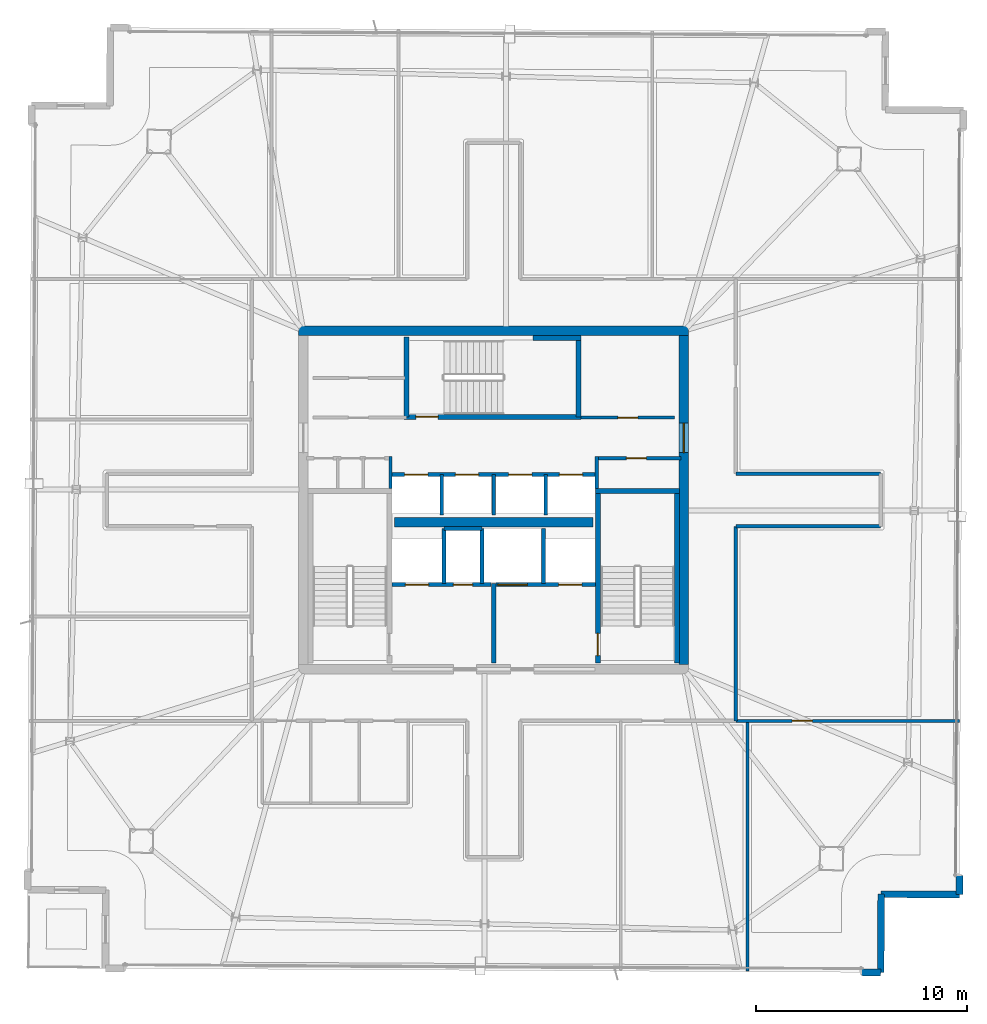
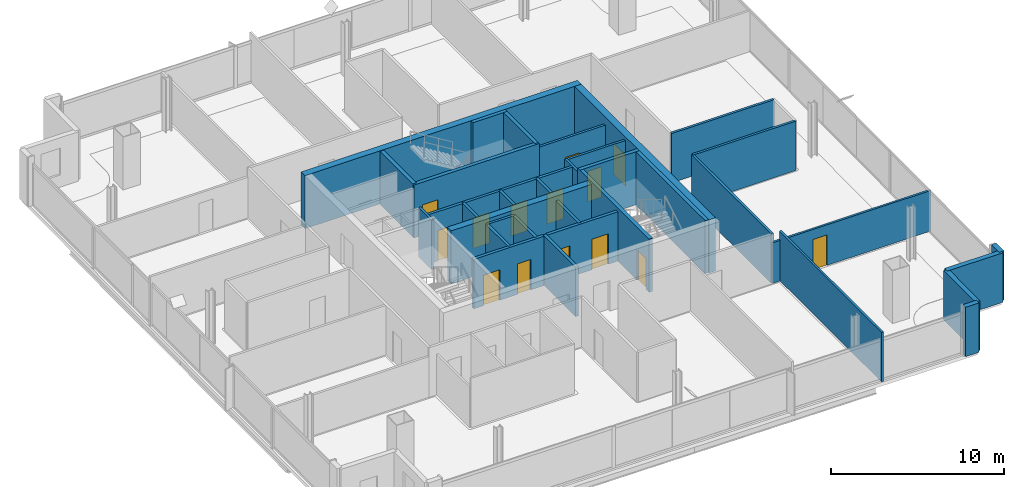
# One storey, part 20 of 24: 34 walls, 14 doors, 14 openings.
"""IFC4 building model written with IfcOpenShell, lengths in metres."""

from ifc_helpers import new_model, si_unit, direction, frame, frame_2d, origin, place, context, subcontext, project, spatial, rectangle, extrude, material, layer, layer_set, type_object, element, fill, save


model = new_model("IFC4")

# Units and contexts
model_context = context("Model", 3, precision=1e-05, world=origin(), true_north=direction((0.0, 1.0)))
body_context = subcontext(model_context, "Body", "Model", "MODEL_VIEW")
ifc_project = project(units=[si_unit("LENGTHUNIT", "METRE"), si_unit("AREAUNIT", "SQUARE_METRE"), si_unit("VOLUMEUNIT", "CUBIC_METRE"), si_unit("PLANEANGLEUNIT", "RADIAN"), si_unit("MASSUNIT", "GRAM", prefix="KILO")], contexts=[model_context])

# Site, building, storey
site_placement = place(None, origin())
site = spatial("IfcSite", under=ifc_project, at=site_placement, CompositionType="ELEMENT")
building_placement = place(site_placement, origin())
building = spatial("IfcBuilding", under=site, at=building_placement, Name="Haldenkirk Collegiate Tower", CompositionType="ELEMENT")
storey_placement = place(building_placement, frame((0.0, 0.0, 328.949951171875)))
storey = spatial("IfcBuildingStorey", under=building, at=storey_placement, Name="L83", CompositionType="ELEMENT", Elevation=328.949951171875)

# Wall
ifc_material_1 = material(Name="Concrete f'c 55 MPa", Category="concrete")
ifc_layer_1 = layer(ifc_material_1, 0.449951171875)
ifc_layer_set_1 = layer_set([ifc_layer_1], Name="Concrete f'c 55 MPa")
wall_type_1 = type_object("IfcWallType", Name="WL-CORE-450", PredefinedType="SHEAR", material=ifc_layer_set_1)
wall_1_placement = place(storey_placement, frame((26.77490234375, 34.0, 0.0), z_axis=(0.0, 0.0, 1.0), x_axis=(1.0, 0.0, 0.0)))
element("IfcWall", 1, at=wall_1_placement, inside=storey, type_object=wall_type_1, Name="L83 central core shear wall N", PredefinedType="SHEAR", context=body_context, shape_type="SweptSolid", body=[
    extrude(rectangle(XDim=18.4501953125, YDim=0.449951171875, at=frame_2d((9.22509765625, 0.0))), origin(), (0.0, 0.0, 1.0), 3.75),
])

# Wall, opening, door
wall_2_placement = place(storey_placement, frame((45.0, 18.22509765625, 0.0), z_axis=(0.0, 0.0, 1.0), x_axis=(0.0, 1.0, 0.0)))
wall_2 = element("IfcWall", 2, at=wall_2_placement, inside=storey, type_object=wall_type_1, Name="L83 central core shear wall E", PredefinedType="SHEAR", context=body_context, shape_type="SweptSolid", body=[
    extrude(rectangle(XDim=15.5498046875, YDim=0.449951171875, at=frame_2d((7.77490234375, 0.0))), origin(), (0.0, 0.0, 1.0), 3.75),
])
opening_1_placement = place(wall_2_placement, frame((10.014892578125, 0.0, 0.0)))
opening_1 = element("IfcOpeningElement", 3, at=opening_1_placement, cuts=wall_2, Name="Opening D-03", PredefinedType="OPENING", context=body_context, shape_type="SweptSolid", body=[
    extrude(rectangle(XDim=1.39990234375, YDim=2.199951171875, at=frame_2d((0.699951171875, 1.10009765625))), frame((0.0, 0.23486328125, 0.0), z_axis=(0.0, -1.0, 0.0), x_axis=(1.0, 0.0, 0.0)), (0.0, 0.0, 1.0), 0.469970703125),
])
ifc_material_2 = material(Name="Galvanized fire-rated hollow steel door", Category="steel")
ifc_layer_2 = layer(ifc_material_2, 0.06005859375)
ifc_layer_set_2 = layer_set([ifc_layer_2], Name="Galvanized fire-rated hollow steel door")
door_type_1 = type_object("IfcDoorType", Name="DR-LOBBY-FD90-1400", OperationType="NOTDEFINED", PredefinedType="DOOR", material=ifc_layer_set_2)
door_1_placement = place(opening_1_placement, origin())
door_1 = element("IfcDoor", 4, at=door_1_placement, inside=storey, type_object=door_type_1, Name="L83 east lift lobby portal", OperationType="DOUBLE_DOOR_SINGLE_SWING", OverallHeight=2.199951171875, OverallWidth=1.39990234375, PredefinedType="DOOR", context=body_context, shape_type="SweptSolid", body=[
    extrude(rectangle(XDim=1.39990234375, YDim=2.199951171875, at=frame_2d((0.699951171875, 1.10009765625))), frame((0.0, 0.02490234375, 0.0), z_axis=(0.0, -1.0, 0.0), x_axis=(1.0, 0.0, 0.0)), (0.0, 0.0, 1.0), 0.050048828125),
])
fill(opening_1, door_1)

# Walls
wall_3_placement = place(storey_placement, frame((31.31005859375, 24.949951171875, 0.0), z_axis=(0.0, 0.0, 1.0), x_axis=(1.0, 0.0, 0.0)))
element("IfcWall", 5, at=wall_3_placement, inside=storey, type_object=wall_type_1, Name="L83 central core spine shear wall", PredefinedType="SHEAR", context=body_context, shape_type="SweptSolid", body=[
    extrude(rectangle(XDim=9.3798828125, YDim=0.449951171875, at=frame_2d((4.68994140625, 0.0))), origin(), (0.0, 0.0, 1.0), 3.75),
])
ifc_material_3 = material(Name="Precast concrete f'c 40 MPa", Category="concrete")
ifc_layer_3 = layer(ifc_material_3, 0.320068359375)
ifc_layer_set_3 = layer_set([ifc_layer_3], Name="Precast concrete f'c 40 MPa")
wall_type_2 = type_object("IfcWallType", Name="WL-EXT-TWR-320", PredefinedType="STANDARD", material=ifc_layer_set_3)
for number, where, z_axis, x_axis, name in (
    (6, (58.0322265625, 8.234375, 0.0), (0.0, 0.0, 1.0), (-0.005154570696, -0.999986715112, 0.0), "L83 precast corner pier SR"),
    (7, (54.30810546875, 3.65380859375, 0.0), (0.0, 0.0, 1.0), (-0.999986715112, 0.005154570696, 0.0), "L83 precast corner pier WL"),
):
    element("IfcWall", number, at=place(storey_placement, frame(where, z_axis=z_axis, x_axis=x_axis)), inside=storey, type_object=wall_type_2, Name=name, PredefinedType="STANDARD", context=body_context, shape_type="SweptSolid", body=[
        extrude(rectangle(XDim=0.89990234375, YDim=0.320068359375, at=frame_2d((0.449951171875, 0.0))), origin(), (0.0, 0.0, 1.0), 3.489990234375),
    ])
for number, where, z_axis, x_axis, name in (
    (8, (54.32763671875, 7.353759765625, 0.0), (0.0, 0.0, 1.0), (-0.005278712333, -0.999986067501, 0.0), "L83 bronze precast notch wall 11"),
    (9, (58.027587890625, 7.33447265625, 0.0), (0.0, 0.0, 1.0), (-0.999986413629, 0.005212730233, 0.0), "L83 bronze precast notch wall 12"),
):
    element("IfcWall", number, at=place(storey_placement, frame(where, z_axis=z_axis, x_axis=x_axis)), inside=storey, type_object=wall_type_2, Name=name, PredefinedType="STANDARD", context=body_context, shape_type="SweptSolid", body=[
        extrude(rectangle(XDim=3.699951171875, YDim=0.320068359375, at=frame_2d((1.85009765625, 0.0))), origin(), (0.0, 0.0, 1.0), 3.489990234375),
    ])
ifc_material_4 = material(Name="Acoustic fire-rated gypsum partition", Category="concrete")
ifc_layer_4 = layer(ifc_material_4, 0.159912109375)
ifc_layer_set_4 = layer_set([ifc_layer_4], Name="Acoustic fire-rated gypsum partition")
wall_type_3 = type_object("IfcWallType", Name="WL-INT-CORR-160", PredefinedType="PARTITIONING", material=ifc_layer_set_4)
wall_4_placement = place(storey_placement, frame((31.1201171875, 26.5400390625, 0.0), z_axis=(0.0, 0.0, 1.0), x_axis=(0.0, 1.0, 0.0)))
element("IfcWall", 10, at=wall_4_placement, inside=storey, type_object=wall_type_3, Name="L83 interior partition IW-L83-VCSW-E", PredefinedType="PARTITIONING", context=body_context, shape_type="SweptSolid", body=[
    extrude(rectangle(XDim=1.510009765625, YDim=0.159912109375, at=frame_2d((0.7548828125, 0.0))), origin(), (0.0, 0.0, 1.0), 3.489990234375),
])

# Wall, opening, door
wall_5_placement = place(storey_placement, frame((40.800048828125, 27.97998046875, 0.0), z_axis=(0.0, 0.0, 1.0), x_axis=(1.0, 0.0, 0.0)))
wall_5 = element("IfcWall", 11, at=wall_5_placement, inside=storey, type_object=wall_type_3, Name="L83 interior partition IW-L83-VCSE-N", PredefinedType="PARTITIONING", context=body_context, shape_type="SweptSolid", body=[
    extrude(rectangle(XDim=4.050048828125, YDim=0.159912109375, at=frame_2d((2.02490234375, 0.0))), origin(), (0.0, 0.0, 1.0), 3.489990234375),
])
opening_2_placement = place(wall_5_placement, frame((1.47509765625, 0.0, 0.0)))
opening_2 = element("IfcOpeningElement", 12, at=opening_2_placement, cuts=wall_5, Name="Opening D-10", PredefinedType="OPENING", context=body_context, shape_type="SweptSolid", body=[
    extrude(rectangle(XDim=0.949951171875, YDim=2.14990234375, at=frame_2d((0.47509765625, 1.074951171875))), frame((0.0, 0.08984375, 0.0), z_axis=(0.0, -1.0, 0.0), x_axis=(1.0, 0.0, 0.0)), (0.0, 0.0, 1.0), 0.179931640625),
])
ifc_material_5 = material(Name="Solid-core architectural oak fire door", Category="wood")
ifc_layer_5 = layer(ifc_material_5, 0.06005859375)
ifc_layer_set_5 = layer_set([ifc_layer_5], Name="Solid-core architectural oak fire door")
door_type_2 = type_object("IfcDoorType", Name="DR-INT-FD60-950", OperationType="NOTDEFINED", PredefinedType="DOOR", material=ifc_layer_set_5)
door_2_placement = place(opening_2_placement, origin())
door_2 = element("IfcDoor", 13, at=door_2_placement, inside=storey, type_object=door_type_2, Name="L83 core archive vault door", OperationType="SINGLE_SWING_RIGHT", OverallHeight=2.14990234375, OverallWidth=0.949951171875, PredefinedType="DOOR", context=body_context, shape_type="SweptSolid", body=[
    extrude(rectangle(XDim=0.949951171875, YDim=2.14990234375, at=frame_2d((0.47509765625, 1.074951171875))), frame((0.0, 0.02490234375, 0.0), z_axis=(0.0, -1.0, 0.0), x_axis=(1.0, 0.0, 0.0)), (0.0, 0.0, 1.0), 0.050048828125),
])
fill(opening_2, door_2)

# Wall
wall_6_placement = place(storey_placement, frame((40.8798828125, 26.5400390625, 0.0), z_axis=(0.0, 0.0, 1.0), x_axis=(0.0, 1.0, 0.0)))
element("IfcWall", 14, at=wall_6_placement, inside=storey, type_object=wall_type_3, Name="L83 interior partition IW-L83-VCSE-W", PredefinedType="PARTITIONING", context=body_context, shape_type="SweptSolid", body=[
    extrude(rectangle(XDim=1.510009765625, YDim=0.159912109375, at=frame_2d((0.7548828125, 0.0))), origin(), (0.0, 0.0, 1.0), 3.489990234375),
])

# Wall, opening, door
wall_7_placement = place(storey_placement, frame((40.1201171875, 29.89990234375, 0.0), z_axis=(0.0, 0.0, 1.0), x_axis=(1.0, 0.0, 0.0)))
wall_7 = element("IfcWall", 15, at=wall_7_placement, inside=storey, type_object=wall_type_3, Name="L83 interior partition IW-L83-PMS", PredefinedType="PARTITIONING", context=body_context, shape_type="SweptSolid", body=[
    extrude(rectangle(XDim=4.429931640625, YDim=0.159912109375, at=frame_2d((2.21484375, 0.0))), origin(), (0.0, 0.0, 1.0), 3.489990234375),
])
opening_3_placement = place(wall_7_placement, frame((1.7548828125, 0.0, 0.0)))
opening_3 = element("IfcOpeningElement", 16, at=opening_3_placement, cuts=wall_7, Name="Opening D-10", PredefinedType="OPENING", context=body_context, shape_type="SweptSolid", body=[
    extrude(rectangle(XDim=0.949951171875, YDim=2.14990234375, at=frame_2d((0.47509765625, 1.074951171875))), frame((0.0, 0.08984375, 0.0), z_axis=(0.0, -1.0, 0.0), x_axis=(1.0, 0.0, 0.0)), (0.0, 0.0, 1.0), 0.179931640625),
])
door_3_placement = place(opening_3_placement, origin())
door_3 = element("IfcDoor", 17, at=door_3_placement, inside=storey, type_object=door_type_2, Name="L83 reference archive door", OperationType="SINGLE_SWING_LEFT", OverallHeight=2.14990234375, OverallWidth=0.949951171875, PredefinedType="DOOR", context=body_context, shape_type="SweptSolid", body=[
    extrude(rectangle(XDim=0.949951171875, YDim=2.14990234375, at=frame_2d((0.47509765625, 1.074951171875))), frame((0.0, 0.02490234375, 0.0), z_axis=(0.0, -1.0, 0.0), x_axis=(1.0, 0.0, 0.0)), (0.0, 0.0, 1.0), 0.050048828125),
])
fill(opening_3, door_3)

# Walls
wall_8_placement = place(storey_placement, frame((47.449951171875, 15.550048828125, 0.0), z_axis=(0.0, 0.0, 1.0), x_axis=(0.0, 1.0, 0.0)))
element("IfcWall", 18, at=wall_8_placement, inside=storey, type_object=wall_type_3, Name="L83 interior partition IW-L83-CE1", PredefinedType="PARTITIONING", context=body_context, shape_type="SweptSolid", body=[
    extrude(rectangle(XDim=9.199951171875, YDim=0.159912109375, at=frame_2d((4.60009765625, 0.0))), origin(), (0.0, 0.0, 1.0), 3.489990234375),
])
for number, where, z_axis, x_axis, name in (
    (19, (47.449951171875, 24.75, 0.0), (0.0, 0.0, 1.0), (1.0, 0.0, 0.0), "L83 interior partition IW-L83-EPS"),
    (20, (47.449951171875, 27.25, 0.0), (0.0, 0.0, 1.0), (1.0, 0.0, 0.0), "L83 interior partition IW-L83-EPN"),
):
    element("IfcWall", number, at=place(storey_placement, frame(where, z_axis=z_axis, x_axis=x_axis)), inside=storey, type_object=wall_type_3, Name=name, PredefinedType="PARTITIONING", context=body_context, shape_type="SweptSolid", body=[
        extrude(rectangle(XDim=6.85009765625, YDim=0.159912109375, at=frame_2d((3.425048828125, 0.0))), origin(), (0.0, 0.0, 1.0), 3.489990234375),
    ])

# Wall, opening, door
ifc_layer_6 = layer(ifc_material_4, 0.139892578125)
ifc_layer_set_6 = layer_set([ifc_layer_6], Name="Acoustic fire-rated gypsum partition")
wall_type_4 = type_object("IfcWallType", Name="WL-INT-DIV-140", PredefinedType="PARTITIONING", material=ifc_layer_set_6)
wall_9_placement = place(storey_placement, frame((47.449951171875, 15.550048828125, 0.0), z_axis=(0.0, 0.0, 1.0), x_axis=(1.0, 0.0, 0.0)))
wall_9 = element("IfcWall", 21, at=wall_9_placement, inside=storey, type_object=wall_type_4, Name="L83 interior partition IW-L83-BES", PredefinedType="PARTITIONING", context=body_context, shape_type="SweptSolid", body=[
    extrude(rectangle(XDim=10.58056640625, YDim=0.139892578125, at=frame_2d((5.290283203125, 0.0))), origin(), (0.0, 0.0, 1.0), 2.8681640625),
])
opening_4_placement = place(wall_9_placement, frame((2.6689453125, 0.0, 0.0)))
opening_4 = element("IfcOpeningElement", 22, at=opening_4_placement, cuts=wall_9, Name="Opening D-12", PredefinedType="OPENING", context=body_context, shape_type="SweptSolid", body=[
    extrude(rectangle(XDim=0.949951171875, YDim=2.14990234375, at=frame_2d((0.47509765625, 1.074951171875))), frame((0.0, 0.079833984375, 0.0), z_axis=(0.0, -1.0, 0.0), x_axis=(1.0, 0.0, 0.0)), (0.0, 0.0, 1.0), 0.159912109375),
])
ifc_layer_7 = layer(ifc_material_5, 0.06005859375)
ifc_layer_set_7 = layer_set([ifc_layer_7], Name="Solid-core architectural oak fire door")
door_type_3 = type_object("IfcDoorType", Name="DR-INT-STD-950", OperationType="NOTDEFINED", PredefinedType="DOOR", material=ifc_layer_set_7)
door_4_placement = place(opening_4_placement, origin())
door_4 = element("IfcDoor", 23, at=door_4_placement, inside=storey, type_object=door_type_3, Name="L83 Tutorial Seminar Room 3 door", OperationType="SINGLE_SWING_LEFT", OverallHeight=2.14990234375, OverallWidth=0.949951171875, PredefinedType="DOOR", context=body_context, shape_type="SweptSolid", body=[
    extrude(rectangle(XDim=0.949951171875, YDim=2.14990234375, at=frame_2d((0.47509765625, 1.074951171875))), frame((0.0, 0.02490234375, 0.0), z_axis=(0.0, -1.0, 0.0), x_axis=(1.0, 0.0, 0.0)), (0.0, 0.0, 1.0), 0.050048828125),
])
fill(opening_4, door_4)

# Walls
wall_10_placement = place(storey_placement, frame((48.0, 3.726806640625, 0.0), z_axis=(0.0, 0.0, 1.0), x_axis=(0.0, 1.0, 0.0)))
element("IfcWall", 24, at=wall_10_placement, inside=storey, type_object=wall_type_4, Name="L83 interior partition IW-L83-RS2", PredefinedType="PARTITIONING", context=body_context, shape_type="SweptSolid", body=[
    extrude(rectangle(XDim=11.8232421875, YDim=0.139892578125, at=frame_2d((5.91162109375, 0.0))), origin(), (0.0, 0.0, 1.0), 3.489990234375),
])
ifc_material_6 = material(Name="Fire-rated gypsum shaftboard assembly", Category="concrete")
ifc_layer_8 = layer(ifc_material_6, 0.179931640625)
ifc_layer_set_8 = layer_set([ifc_layer_8], Name="Fire-rated gypsum shaftboard assembly")
wall_type_5 = type_object("IfcWallType", Name="WL-INT-SHAFT-180", PredefinedType="PARTITIONING", material=ifc_layer_set_8)
for number, where, z_axis, x_axis, name in (
    (25, (33.64990234375, 22.050048828125, 0.0), (0.0, 0.0, 1.0), (0.0, 1.0, 0.0), "L83 interior partition IW-L83-FL1E"),
    (26, (35.449951171875, 22.050048828125, 0.0), (0.0, 0.0, 1.0), (0.0, 1.0, 0.0), "L83 interior partition IW-L83-GL1W"),
):
    element("IfcWall", number, at=place(storey_placement, frame(where, z_axis=z_axis, x_axis=x_axis)), inside=storey, type_object=wall_type_5, Name=name, PredefinedType="PARTITIONING", context=body_context, shape_type="SweptSolid", body=[
        extrude(rectangle(XDim=2.599853515625, YDim=0.179931640625, at=frame_2d((1.2998046875, 0.0))), origin(), (0.0, 0.0, 1.0), 3.489990234375),
    ])
wall_11_placement = place(storey_placement, frame((33.64990234375, 24.64990234375, 0.0), z_axis=(0.0, 0.0, 1.0), x_axis=(1.0, 0.0, 0.0)))
element("IfcWall", 27, at=wall_11_placement, inside=storey, type_object=wall_type_5, Name="L83 interior partition IW-L83-RSRN", PredefinedType="PARTITIONING", context=body_context, shape_type="SweptSolid", body=[
    extrude(rectangle(XDim=1.800048828125, YDim=0.179931640625, at=frame_2d((0.89990234375, 0.0))), origin(), (0.0, 0.0, 1.0), 3.489990234375),
])
wall_12_placement = place(storey_placement, frame((38.35009765625, 22.050048828125, 0.0), z_axis=(0.0, 0.0, 1.0), x_axis=(0.0, 1.0, 0.0)))
element("IfcWall", 28, at=wall_12_placement, inside=storey, type_object=wall_type_5, Name="L83 interior partition IW-L83-GL1E", PredefinedType="PARTITIONING", context=body_context, shape_type="SweptSolid", body=[
    extrude(rectangle(XDim=2.599853515625, YDim=0.179931640625, at=frame_2d((1.2998046875, 0.0))), origin(), (0.0, 0.0, 1.0), 3.489990234375),
])

# Wall, openings, doors
wall_13_placement = place(storey_placement, frame((31.199951171875, 27.199951171875, 0.0), z_axis=(0.0, 0.0, 1.0), x_axis=(1.0, 0.0, 0.0)))
wall_13 = element("IfcWall", 29, at=wall_13_placement, inside=storey, type_object=wall_type_5, Name="L83 interior partition IW-L83-PHN", PredefinedType="PARTITIONING", context=body_context, shape_type="SweptSolid", body=[
    extrude(rectangle(XDim=9.60009765625, YDim=0.179931640625, at=frame_2d((4.800048828125, 0.0))), origin(), (0.0, 0.0, 1.0), 3.489990234375),
])
opening_5_placement = place(wall_13_placement, frame((0.590087890625, 0.0, 0.0)))
opening_5 = element("IfcOpeningElement", 30, at=opening_5_placement, cuts=wall_13, Name="Opening LD-11", PredefinedType="OPENING", context=body_context, shape_type="SweptSolid", body=[
    extrude(rectangle(XDim=1.10009765625, YDim=2.14990234375, at=frame_2d((0.550048828125, 1.074951171875))), frame((0.0, 0.099853515625, 0.0), z_axis=(0.0, -1.0, 0.0), x_axis=(1.0, 0.0, 0.0)), (0.0, 0.0, 1.0), 0.199951171875),
])
opening_6_placement = place(wall_13_placement, frame((2.989990234375, 0.0, 0.0)))
opening_6 = element("IfcOpeningElement", 31, at=opening_6_placement, cuts=wall_13, Name="Opening LD-11", PredefinedType="OPENING", context=body_context, shape_type="SweptSolid", body=[
    extrude(rectangle(XDim=1.10009765625, YDim=2.14990234375, at=frame_2d((0.550048828125, 1.074951171875))), frame((0.0, 0.099853515625, 0.0), z_axis=(0.0, -1.0, 0.0), x_axis=(1.0, 0.0, 0.0)), (0.0, 0.0, 1.0), 0.199951171875),
])
opening_7_placement = place(wall_13_placement, frame((5.510009765625, 0.0, 0.0)))
opening_7 = element("IfcOpeningElement", 32, at=opening_7_placement, cuts=wall_13, Name="Opening LD-11", PredefinedType="OPENING", context=body_context, shape_type="SweptSolid", body=[
    extrude(rectangle(XDim=1.10009765625, YDim=2.14990234375, at=frame_2d((0.550048828125, 1.074951171875))), frame((0.0, 0.099853515625, 0.0), z_axis=(0.0, -1.0, 0.0), x_axis=(1.0, 0.0, 0.0)), (0.0, 0.0, 1.0), 0.199951171875),
])
opening_8_placement = place(wall_13_placement, frame((7.909912109375, 0.0, 0.0)))
opening_8 = element("IfcOpeningElement", 33, at=opening_8_placement, cuts=wall_13, Name="Opening LD-11", PredefinedType="OPENING", context=body_context, shape_type="SweptSolid", body=[
    extrude(rectangle(XDim=1.10009765625, YDim=2.14990234375, at=frame_2d((0.550048828125, 1.074951171875))), frame((0.0, 0.099853515625, 0.0), z_axis=(0.0, -1.0, 0.0), x_axis=(1.0, 0.0, 0.0)), (0.0, 0.0, 1.0), 0.199951171875),
])
ifc_material_7 = material(Name="Brushed architectural stainless steel", Category="steel")
ifc_layer_9 = layer(ifc_material_7, 0.06005859375)
ifc_layer_set_9 = layer_set([ifc_layer_9], Name="Brushed architectural stainless steel")
door_type_4 = type_object("IfcDoorType", Name="LD-PASS-1100", OperationType="NOTDEFINED", PredefinedType="DOOR", material=ifc_layer_set_9)
door_5_placement = place(opening_5_placement, origin())
door_5 = element("IfcDoor", 34, at=door_5_placement, inside=storey, type_object=door_type_4, Name="L83 Elevator PH1 sliding landing door", OperationType="SLIDING_TO_LEFT", OverallHeight=2.14990234375, OverallWidth=1.10009765625, PredefinedType="DOOR", context=body_context, shape_type="SweptSolid", body=[
    extrude(rectangle(XDim=1.10009765625, YDim=2.14990234375, at=frame_2d((0.550048828125, 1.074951171875))), frame((0.0, 0.02490234375, 0.0), z_axis=(0.0, -1.0, 0.0), x_axis=(1.0, 0.0, 0.0)), (0.0, 0.0, 1.0), 0.050048828125),
])
fill(opening_5, door_5)
door_6_placement = place(opening_6_placement, origin())
door_6 = element("IfcDoor", 35, at=door_6_placement, inside=storey, type_object=door_type_4, Name="L83 Elevator PH2 sliding landing door", OperationType="SLIDING_TO_LEFT", OverallHeight=2.14990234375, OverallWidth=1.10009765625, PredefinedType="DOOR", context=body_context, shape_type="SweptSolid", body=[
    extrude(rectangle(XDim=1.10009765625, YDim=2.14990234375, at=frame_2d((0.550048828125, 1.074951171875))), frame((0.0, 0.02490234375, 0.0), z_axis=(0.0, -1.0, 0.0), x_axis=(1.0, 0.0, 0.0)), (0.0, 0.0, 1.0), 0.050048828125),
])
fill(opening_6, door_6)
door_7_placement = place(opening_7_placement, origin())
door_7 = element("IfcDoor", 36, at=door_7_placement, inside=storey, type_object=door_type_4, Name="L83 Elevator PH3 sliding landing door", OperationType="SLIDING_TO_LEFT", OverallHeight=2.14990234375, OverallWidth=1.10009765625, PredefinedType="DOOR", context=body_context, shape_type="SweptSolid", body=[
    extrude(rectangle(XDim=1.10009765625, YDim=2.14990234375, at=frame_2d((0.550048828125, 1.074951171875))), frame((0.0, 0.02490234375, 0.0), z_axis=(0.0, -1.0, 0.0), x_axis=(1.0, 0.0, 0.0)), (0.0, 0.0, 1.0), 0.050048828125),
])
fill(opening_7, door_7)
door_8_placement = place(opening_8_placement, origin())
door_8 = element("IfcDoor", 37, at=door_8_placement, inside=storey, type_object=door_type_4, Name="L83 Elevator PH4 sliding landing door", OperationType="SLIDING_TO_LEFT", OverallHeight=2.14990234375, OverallWidth=1.10009765625, PredefinedType="DOOR", context=body_context, shape_type="SweptSolid", body=[
    extrude(rectangle(XDim=1.10009765625, YDim=2.14990234375, at=frame_2d((0.550048828125, 1.074951171875))), frame((0.0, 0.02490234375, 0.0), z_axis=(0.0, -1.0, 0.0), x_axis=(1.0, 0.0, 0.0)), (0.0, 0.0, 1.0), 0.050048828125),
])
fill(opening_8, door_8)

# Walls
for number, where, z_axis, x_axis, name in (
    (38, (33.5400390625, 25.300048828125, 0.0), (0.0, 0.0, 1.0), (0.0, 1.0, 0.0), "L83 interior partition IW-L83-PHV1"),
    (39, (36.0, 25.300048828125, 0.0), (0.0, 0.0, 1.0), (0.0, 1.0, 0.0), "L83 interior partition IW-L83-PHV2"),
    (40, (38.4599609375, 25.300048828125, 0.0), (0.0, 0.0, 1.0), (0.0, 1.0, 0.0), "L83 interior partition IW-L83-PHV3"),
):
    element("IfcWall", number, at=place(storey_placement, frame(where, z_axis=z_axis, x_axis=x_axis)), inside=storey, type_object=wall_type_5, Name=name, PredefinedType="PARTITIONING", context=body_context, shape_type="SweptSolid", body=[
        extrude(rectangle(XDim=1.89990234375, YDim=0.179931640625, at=frame_2d((0.949951171875, 0.0))), origin(), (0.0, 0.0, 1.0), 3.489990234375),
    ])
ifc_layer_10 = layer(ifc_material_6, 0.199951171875)
ifc_layer_set_10 = layer_set([ifc_layer_10], Name="Fire-rated gypsum shaftboard assembly")
wall_type_6 = type_object("IfcWallType", Name="WL-INT-SHAFT-200", PredefinedType="PARTITIONING", material=ifc_layer_set_10)
wall_14_placement = place(storey_placement, frame((36.0, 18.280029296875, 0.0), z_axis=(0.0, 0.0, 1.0), x_axis=(0.0, 1.0, 0.0)))
element("IfcWall", 41, at=wall_14_placement, inside=storey, type_object=wall_type_6, Name="L83 interior partition IW-L83-FFLM", PredefinedType="PARTITIONING", context=body_context, shape_type="SweptSolid", body=[
    extrude(rectangle(XDim=3.77001953125, YDim=0.199951171875, at=frame_2d((1.885009765625, 0.0))), origin(), (0.0, 0.0, 1.0), 3.489990234375),
])

# Wall, openings, doors
wall_15_placement = place(storey_placement, frame((31.18994140625, 22.0, 0.0), z_axis=(0.0, 0.0, 1.0), x_axis=(1.0, 0.0, 0.0)))
wall_15 = element("IfcWall", 42, at=wall_15_placement, inside=storey, type_object=wall_type_6, Name="L83 interior partition IW-L83-FFL1N", PredefinedType="PARTITIONING", context=body_context, shape_type="SweptSolid", body=[
    extrude(rectangle(XDim=4.68994140625, YDim=0.199951171875, at=frame_2d((2.344970703125, 0.0))), origin(), (0.0, 0.0, 1.0), 3.489990234375),
])
opening_9_placement = place(wall_15_placement, frame((2.909912109375, 0.0, 0.0)))
opening_9 = element("IfcOpeningElement", 43, at=opening_9_placement, cuts=wall_15, Name="Opening D-06", PredefinedType="OPENING", context=body_context, shape_type="SweptSolid", body=[
    extrude(rectangle(XDim=0.89990234375, YDim=2.14990234375, at=frame_2d((0.449951171875, 1.074951171875))), frame((0.0, 0.10986328125, 0.0), z_axis=(0.0, -1.0, 0.0), x_axis=(1.0, 0.0, 0.0)), (0.0, 0.0, 1.0), 0.219970703125),
])
opening_10_placement = place(wall_15_placement, frame((0.635009765625, 0.0, 0.0)))
opening_10 = element("IfcOpeningElement", 44, at=opening_10_placement, cuts=wall_15, Name="Opening LD-12", PredefinedType="OPENING", context=body_context, shape_type="SweptSolid", body=[
    extrude(rectangle(XDim=1.10009765625, YDim=2.14990234375, at=frame_2d((0.550048828125, 1.074951171875))), frame((0.0, 0.10986328125, 0.0), z_axis=(0.0, -1.0, 0.0), x_axis=(1.0, 0.0, 0.0)), (0.0, 0.0, 1.0), 0.219970703125),
])
ifc_layer_11 = layer(ifc_material_2, 0.06005859375)
ifc_layer_set_11 = layer_set([ifc_layer_11], Name="Galvanized fire-rated hollow steel door")
door_type_5 = type_object("IfcDoorType", Name="DR-INT-FD90-900", OperationType="NOTDEFINED", PredefinedType="DOOR", material=ifc_layer_set_11)
door_9_placement = place(opening_9_placement, origin())
door_9 = element("IfcDoor", 45, at=door_9_placement, inside=storey, type_object=door_type_5, Name="L83 electrical riser door", OperationType="SINGLE_SWING_LEFT", OverallHeight=2.14990234375, OverallWidth=0.89990234375, PredefinedType="DOOR", context=body_context, shape_type="SweptSolid", body=[
    extrude(rectangle(XDim=0.89990234375, YDim=2.14990234375, at=frame_2d((0.449951171875, 1.074951171875))), frame((0.0, 0.02490234375, 0.0), z_axis=(0.0, -1.0, 0.0), x_axis=(1.0, 0.0, 0.0)), (0.0, 0.0, 1.0), 0.050048828125),
])
fill(opening_9, door_9)
ifc_layer_12 = layer(ifc_material_7, 0.06005859375)
ifc_layer_set_12 = layer_set([ifc_layer_12], Name="Brushed architectural stainless steel")
door_type_6 = type_object("IfcDoorType", Name="LD-FIRE-1100", OperationType="NOTDEFINED", PredefinedType="DOOR", material=ifc_layer_set_12)
door_10_placement = place(opening_10_placement, origin())
door_10 = element("IfcDoor", 46, at=door_10_placement, inside=storey, type_object=door_type_6, Name="L83 Elevator FL1 sliding landing door", OperationType="SLIDING_TO_LEFT", OverallHeight=2.14990234375, OverallWidth=1.10009765625, PredefinedType="DOOR", context=body_context, shape_type="SweptSolid", body=[
    extrude(rectangle(XDim=1.10009765625, YDim=2.14990234375, at=frame_2d((0.550048828125, 1.074951171875))), frame((0.0, 0.02490234375, 0.0), z_axis=(0.0, -1.0, 0.0), x_axis=(1.0, 0.0, 0.0)), (0.0, 0.0, 1.0), 0.050048828125),
])
fill(opening_10, door_10)

wall_16_placement = place(storey_placement, frame((36.1201171875, 22.0, 0.0), z_axis=(0.0, 0.0, 1.0), x_axis=(1.0, 0.0, 0.0)))
wall_16 = element("IfcWall", 47, at=wall_16_placement, inside=storey, type_object=wall_type_6, Name="L83 interior partition IW-L83-FFL2N", PredefinedType="PARTITIONING", context=body_context, shape_type="SweptSolid", body=[
    extrude(rectangle(XDim=4.68994140625, YDim=0.199951171875, at=frame_2d((2.344970703125, 0.0))), origin(), (0.0, 0.0, 1.0), 3.489990234375),
])
opening_11_placement = place(wall_16_placement, frame((2.955078125, 0.0, 0.0)))
opening_11 = element("IfcOpeningElement", 48, at=opening_11_placement, cuts=wall_16, Name="Opening LD-12", PredefinedType="OPENING", context=body_context, shape_type="SweptSolid", body=[
    extrude(rectangle(XDim=1.10009765625, YDim=2.14990234375, at=frame_2d((0.550048828125, 1.074951171875))), frame((0.0, 0.10986328125, 0.0), z_axis=(0.0, -1.0, 0.0), x_axis=(1.0, 0.0, 0.0)), (0.0, 0.0, 1.0), 0.219970703125),
])
opening_12_placement = place(wall_16_placement, frame((0.080078125, 0.0, 0.0)))
opening_12 = element("IfcOpeningElement", 49, at=opening_12_placement, cuts=wall_16, Name="Opening LD-13", PredefinedType="OPENING", context=body_context, shape_type="SweptSolid", body=[
    extrude(rectangle(XDim=1.39990234375, YDim=2.199951171875, at=frame_2d((0.699951171875, 1.10009765625))), frame((0.0, 0.10986328125, 0.0), z_axis=(0.0, -1.0, 0.0), x_axis=(1.0, 0.0, 0.0)), (0.0, 0.0, 1.0), 0.219970703125),
])
door_11_placement = place(opening_11_placement, origin())
door_11 = element("IfcDoor", 50, at=door_11_placement, inside=storey, type_object=door_type_6, Name="L83 Elevator FL2 sliding landing door", OperationType="SLIDING_TO_LEFT", OverallHeight=2.14990234375, OverallWidth=1.10009765625, PredefinedType="DOOR", context=body_context, shape_type="SweptSolid", body=[
    extrude(rectangle(XDim=1.10009765625, YDim=2.14990234375, at=frame_2d((0.550048828125, 1.074951171875))), frame((0.0, 0.02490234375, 0.0), z_axis=(0.0, -1.0, 0.0), x_axis=(1.0, 0.0, 0.0)), (0.0, 0.0, 1.0), 0.050048828125),
])
fill(opening_11, door_11)
ifc_layer_13 = layer(ifc_material_7, 0.06005859375)
ifc_layer_set_13 = layer_set([ifc_layer_13], Name="Brushed architectural stainless steel")
door_type_7 = type_object("IfcDoorType", Name="LD-GOODS-1400", OperationType="NOTDEFINED", PredefinedType="DOOR", material=ifc_layer_set_13)
door_12_placement = place(opening_12_placement, origin())
door_12 = element("IfcDoor", 51, at=door_12_placement, inside=storey, type_object=door_type_7, Name="L83 Elevator GL1 sliding landing door", OperationType="SLIDING_TO_LEFT", OverallHeight=2.199951171875, OverallWidth=1.39990234375, PredefinedType="DOOR", context=body_context, shape_type="SweptSolid", body=[
    extrude(rectangle(XDim=1.39990234375, YDim=2.199951171875, at=frame_2d((0.699951171875, 1.10009765625))), frame((0.0, 0.02490234375, 0.0), z_axis=(0.0, -1.0, 0.0), x_axis=(1.0, 0.0, 0.0)), (0.0, 0.0, 1.0), 0.050048828125),
])
fill(opening_12, door_12)

# Wall, opening, door
ifc_layer_14 = layer(ifc_material_1, 0.239990234375)
ifc_layer_set_14 = layer_set([ifc_layer_14], Name="Concrete f'c 55 MPa")
wall_type_7 = type_object("IfcWallType", Name="WL-SHAFT-240", PredefinedType="SHEAR", material=ifc_layer_set_14)
wall_17_placement = place(storey_placement, frame((40.929931640625, 18.280029296875, 0.0), z_axis=(0.0, 0.0, 1.0), x_axis=(0.0, 1.0, 0.0)))
wall_17 = element("IfcWall", 52, at=wall_17_placement, inside=storey, type_object=wall_type_7, Name="L83 stair shaft shear wall SW-L83-ST2W", PredefinedType="SHEAR", context=body_context, shape_type="SweptSolid", body=[
    extrude(rectangle(XDim=8.260009765625, YDim=0.239990234375, at=frame_2d((4.1298828125, 0.0))), origin(), (0.0, 0.0, 1.0), 3.75),
])
opening_13_placement = place(wall_17_placement, frame((0.364990234375, 0.0, 0.0)))
opening_13 = element("IfcOpeningElement", 53, at=opening_13_placement, cuts=wall_17, Name="Opening D-01", PredefinedType="OPENING", context=body_context, shape_type="SweptSolid", body=[
    extrude(rectangle(XDim=1.050048828125, YDim=2.14990234375, at=frame_2d((0.52490234375, 1.074951171875))), frame((0.0, 0.1298828125, 0.0), z_axis=(0.0, -1.0, 0.0), x_axis=(1.0, 0.0, 0.0)), (0.0, 0.0, 1.0), 0.260009765625),
])
ifc_layer_15 = layer(ifc_material_2, 0.06005859375)
ifc_layer_set_15 = layer_set([ifc_layer_15], Name="Galvanized fire-rated hollow steel door")
door_type_8 = type_object("IfcDoorType", Name="DR-STAIR-FD90-1050", OperationType="NOTDEFINED", PredefinedType="DOOR", material=ifc_layer_set_15)
door_13_placement = place(opening_13_placement, origin())
door_13 = element("IfcDoor", 54, at=door_13_placement, inside=storey, type_object=door_type_8, Name="L83 Stair 2 door", OperationType="SINGLE_SWING_RIGHT", OverallHeight=2.14990234375, OverallWidth=1.050048828125, PredefinedType="DOOR", context=body_context, shape_type="SweptSolid", body=[
    extrude(rectangle(XDim=1.050048828125, YDim=2.14990234375, at=frame_2d((0.52490234375, 1.074951171875))), frame((0.0, 0.02490234375, 0.0), z_axis=(0.0, -1.0, 0.0), x_axis=(1.0, 0.0, 0.0)), (0.0, 0.0, 1.0), 0.050048828125),
])
fill(opening_13, door_13)

# Walls
wall_18_placement = place(storey_placement, frame((40.81005859375, 26.419921875, 0.0), z_axis=(0.0, 0.0, 1.0), x_axis=(1.0, 0.0, 0.0)))
element("IfcWall", 55, at=wall_18_placement, inside=storey, type_object=wall_type_7, Name="L83 stair shaft shear wall SW-L83-ST2N", PredefinedType="SHEAR", context=body_context, shape_type="SweptSolid", body=[
    extrude(rectangle(XDim=3.97998046875, YDim=0.239990234375, at=frame_2d((1.989990234375, 0.0))), origin(), (0.0, 0.0, 1.0), 3.75),
])
wall_19_placement = place(storey_placement, frame((44.669921875, 18.280029296875, 0.0), z_axis=(0.0, 0.0, 1.0), x_axis=(0.0, 1.0, 0.0)))
element("IfcWall", 56, at=wall_19_placement, inside=storey, type_object=wall_type_7, Name="L83 stair shaft shear wall SW-L83-ST2E", PredefinedType="SHEAR", context=body_context, shape_type="SweptSolid", body=[
    extrude(rectangle(XDim=8.260009765625, YDim=0.239990234375, at=frame_2d((4.1298828125, 0.0))), origin(), (0.0, 0.0, 1.0), 3.75),
])

# Wall, opening, door
wall_20_placement = place(storey_placement, frame((31.760009765625, 29.929931640625, 0.0), z_axis=(0.0, 0.0, 1.0), x_axis=(1.0, 0.0, 0.0)))
wall_20 = element("IfcWall", 57, at=wall_20_placement, inside=storey, type_object=wall_type_7, Name="L83 stair shaft shear wall SW-L83-ST3S", PredefinedType="SHEAR", context=body_context, shape_type="SweptSolid", body=[
    extrude(rectangle(XDim=8.3798828125, YDim=0.239990234375, at=frame_2d((4.18994140625, 0.0))), origin(), (0.0, 0.0, 1.0), 3.75),
])
opening_14_placement = place(wall_20_placement, frame((0.56494140625, 0.0, 0.0)))
opening_14 = element("IfcOpeningElement", 58, at=opening_14_placement, cuts=wall_20, Name="Opening D-01", PredefinedType="OPENING", context=body_context, shape_type="SweptSolid", body=[
    extrude(rectangle(XDim=1.050048828125, YDim=2.14990234375, at=frame_2d((0.52490234375, 1.074951171875))), frame((0.0, 0.1298828125, 0.0), z_axis=(0.0, -1.0, 0.0), x_axis=(1.0, 0.0, 0.0)), (0.0, 0.0, 1.0), 0.260009765625),
])
door_14_placement = place(opening_14_placement, origin())
door_14 = element("IfcDoor", 59, at=door_14_placement, inside=storey, type_object=door_type_8, Name="L83 lift lobby Stair 3 door", OperationType="SINGLE_SWING_RIGHT", OverallHeight=2.14990234375, OverallWidth=1.050048828125, PredefinedType="DOOR", context=body_context, shape_type="SweptSolid", body=[
    extrude(rectangle(XDim=1.050048828125, YDim=2.14990234375, at=frame_2d((0.52490234375, 1.074951171875))), frame((0.0, 0.02490234375, 0.0), z_axis=(0.0, -1.0, 0.0), x_axis=(1.0, 0.0, 0.0)), (0.0, 0.0, 1.0), 0.050048828125),
])
fill(opening_14, door_14)

# Walls
wall_21_placement = place(storey_placement, frame((31.8798828125, 29.929931640625, 0.0), z_axis=(0.0, 0.0, 1.0), x_axis=(0.0, 1.0, 0.0)))
element("IfcWall", 60, at=wall_21_placement, inside=storey, type_object=wall_type_7, Name="L83 stair shaft shear wall SW-L83-ST3W", PredefinedType="SHEAR", context=body_context, shape_type="SweptSolid", body=[
    extrude(rectangle(XDim=3.7900390625, YDim=0.239990234375, at=frame_2d((1.89501953125, 0.0))), origin(), (0.0, 0.0, 1.0), 3.75),
])
wall_22_placement = place(storey_placement, frame((40.02001953125, 29.929931640625, 0.0), z_axis=(0.0, 0.0, 1.0), x_axis=(0.0, 1.0, 0.0)))
element("IfcWall", 61, at=wall_22_placement, inside=storey, type_object=wall_type_7, Name="L83 stair shaft shear wall SW-L83-ST3E", PredefinedType="SHEAR", context=body_context, shape_type="SweptSolid", body=[
    extrude(rectangle(XDim=3.85009765625, YDim=0.239990234375, at=frame_2d((1.925048828125, 0.0))), origin(), (0.0, 0.0, 1.0), 3.75),
])
wall_23_placement = place(storey_placement, frame((37.85009765625, 33.659912109375, 0.0), z_axis=(0.0, 0.0, 1.0), x_axis=(1.0, 0.0, 0.0)))
element("IfcWall", 62, at=wall_23_placement, inside=storey, type_object=wall_type_7, Name="L83 stair shaft shear wall SW-L83-ST3N", PredefinedType="SHEAR", context=body_context, shape_type="SweptSolid", body=[
    extrude(rectangle(XDim=2.289794921875, YDim=0.239990234375, at=frame_2d((1.14501953125, 0.0))), origin(), (0.0, 0.0, 1.0), 3.75),
])

save(model, "model.ifc")
